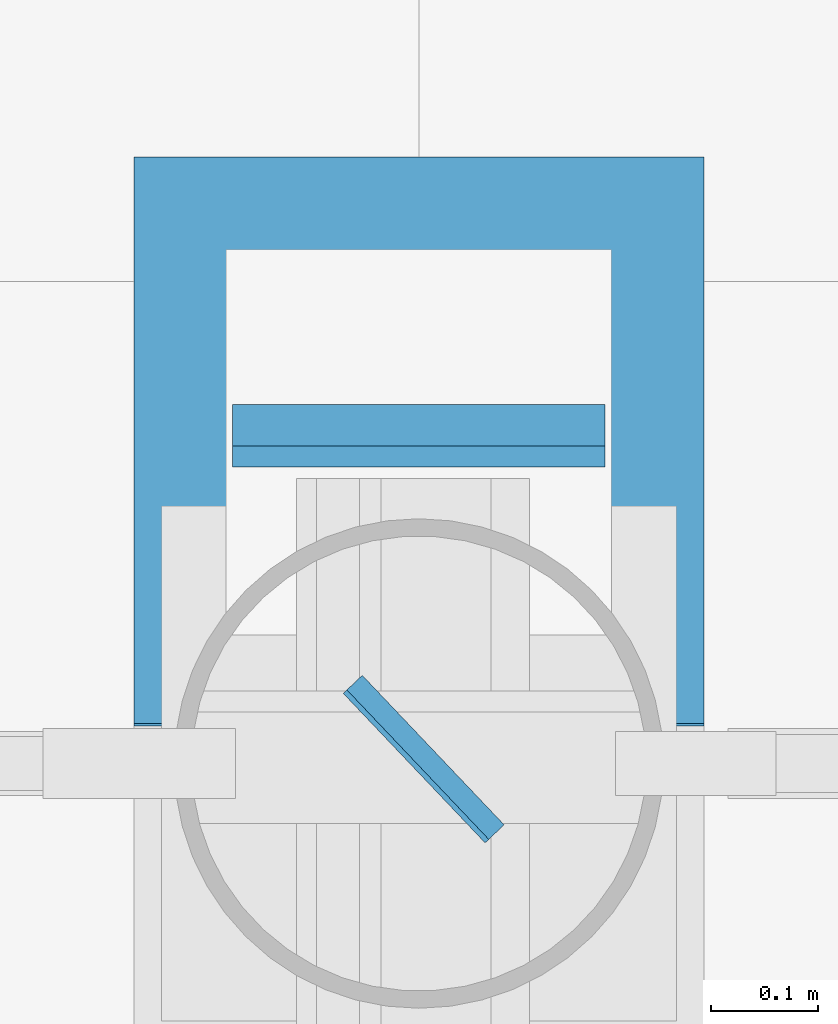
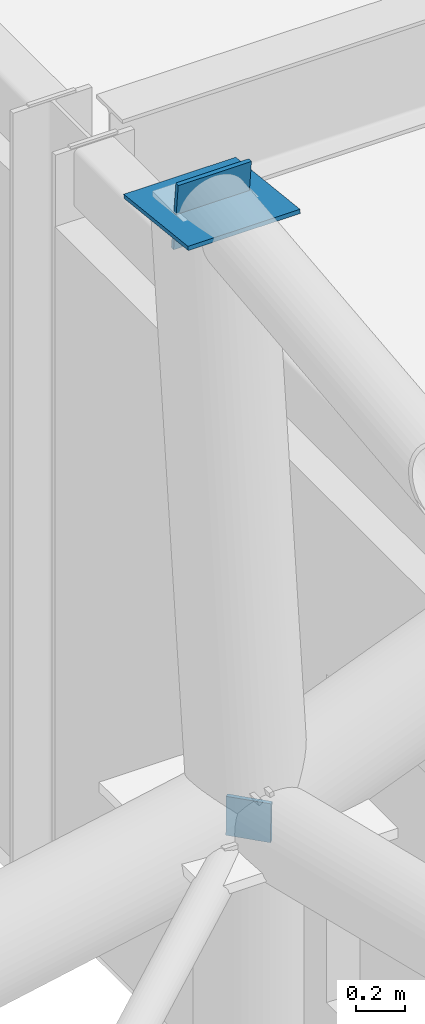
# One storey, part 112 of 138: 3 discrete accessories.
"""IFC4 building model written with IfcOpenShell, lengths in metres."""

from ifc_helpers import new_model, si_unit, direction, frame, origin, origin_2d, place, context, subcontext, project, spatial, rectangle, extrude, material, layer, layer_set, type_object, element, save


model = new_model("IFC4")

# Units and contexts
model_context = context("Model", 3, precision=1e-05, world=origin(), true_north=direction((0.0, 1.0)))
body_context = subcontext(model_context, "Body", "Model", "MODEL_VIEW")
ifc_project = project(units=[si_unit("LENGTHUNIT", "METRE"), si_unit("AREAUNIT", "SQUARE_METRE"), si_unit("VOLUMEUNIT", "CUBIC_METRE"), si_unit("PLANEANGLEUNIT", "RADIAN"), si_unit("MASSUNIT", "GRAM", prefix="KILO")], contexts=[model_context])

# Site, building, storey
site_placement = place(None, origin())
site = spatial("IfcSite", under=ifc_project, at=site_placement, CompositionType="ELEMENT")
building_placement = place(site_placement, origin())
building = spatial("IfcBuilding", under=site, at=building_placement, Name="Kranzveld Transit Interchange", CompositionType="ELEMENT")
storey_placement = place(building_placement, frame((0.0, 0.0, 5.43994140625)))
storey = spatial("IfcBuildingStorey", under=building, at=storey_placement, Name="L01", CompositionType="ELEMENT", Elevation=5.43994140625)

# Discrete accessories
ifc_material = material(Name="Steel S355JR", Category="steel")
ifc_layer = layer(ifc_material, 0.02001953125)
ifc_layer_set = layer_set([ifc_layer], Name="Steel S355JR")
discrete_accessory_type = type_object("IfcDiscreteAccessoryType", Name="Hollow Section End Cap Bracket 20 S355JR", PredefinedType="BRACKET", material=ifc_layer_set)
discrete_accessory_1_placement = place(storey_placement, frame((92.39990234375, 88.299560546875, 15.828125), z_axis=(0.0, 0.110431526075, 0.993883734674), x_axis=(-1.0, 0.0, 0.0)))
element("IfcDiscreteAccessory", 1, at=discrete_accessory_1_placement, inside=storey, type_object=discrete_accessory_type, Name="Hollow Section End Cap C-MST508-2", PredefinedType="BRACKET", context=body_context, shape_type="SweptSolid", body=[
    extrude(rectangle(XDim=0.531982421875, YDim=0.531982421875, at=origin_2d()), origin(), (0.0, 0.0, 1.0), 0.019775390625),
])
discrete_accessory_2_placement = place(storey_placement, frame((92.39990234375, 88.296142578125, 15.83154296875), z_axis=(0.0, 0.993883734674, 0.110431526075), x_axis=(-1.0, 0.0, 0.0)))
element("IfcDiscreteAccessory", 2, at=discrete_accessory_2_placement, inside=storey, type_object=discrete_accessory_type, Name="Hollow Section End Cap ST-CHS324-2", PredefinedType="BRACKET", context=body_context, shape_type="SweptSolid", body=[
    extrude(rectangle(XDim=0.347900390625, YDim=0.347900390625, at=origin_2d()), origin(), (0.0, 0.0, 1.0), 0.019775390625),
])
discrete_accessory_3_placement = place(storey_placement, frame((92.397216796875, 87.997314453125, 12.93212890625), z_axis=(0.725087165153, 0.688218326247, -0.024579225937), x_axis=(-0.688426310031, 0.725306290926, 0.0)))
element("IfcDiscreteAccessory", 3, at=discrete_accessory_3_placement, inside=storey, type_object=discrete_accessory_type, Name="Hollow Section End Cap BR-CHS168-2", PredefinedType="BRACKET", context=body_context, shape_type="SweptSolid", body=[
    extrude(rectangle(XDim=0.1923828125, YDim=0.1923828125, at=origin_2d()), origin(), (0.0, 0.0, 1.0), 0.019775390625),
])

save(model, "model.ifc")
